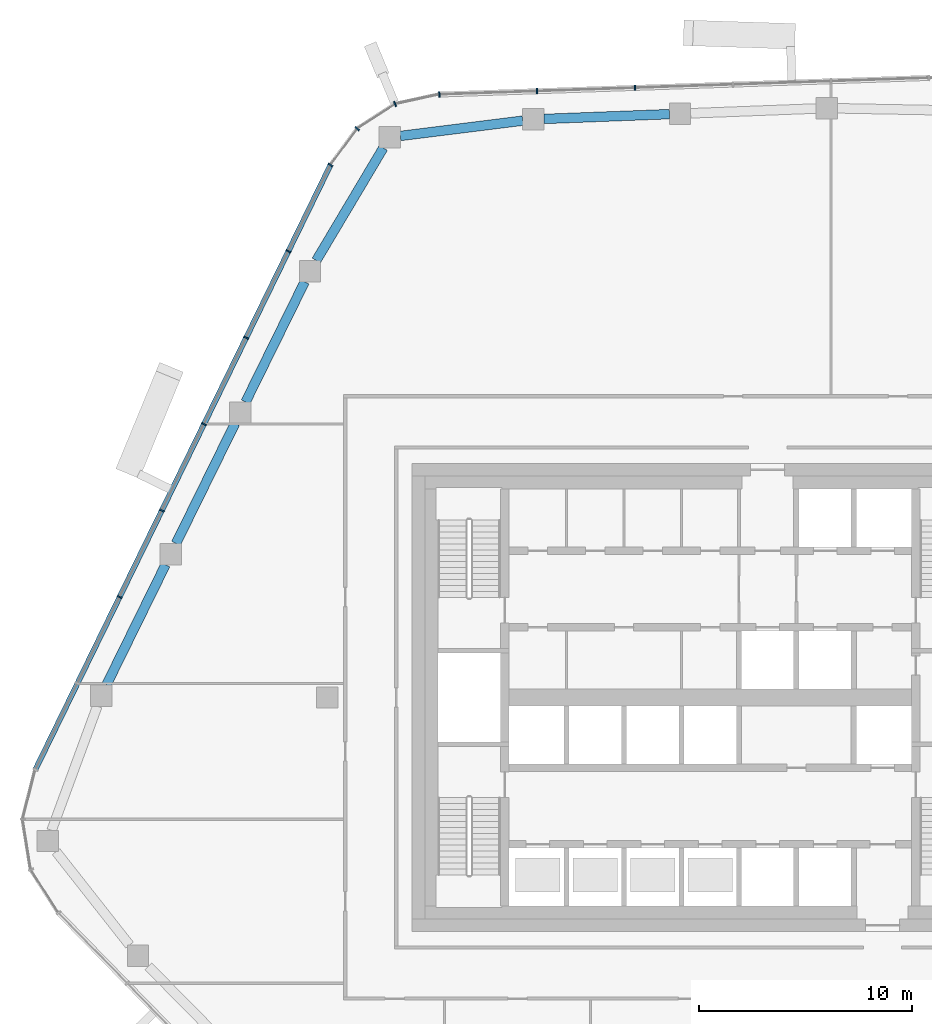
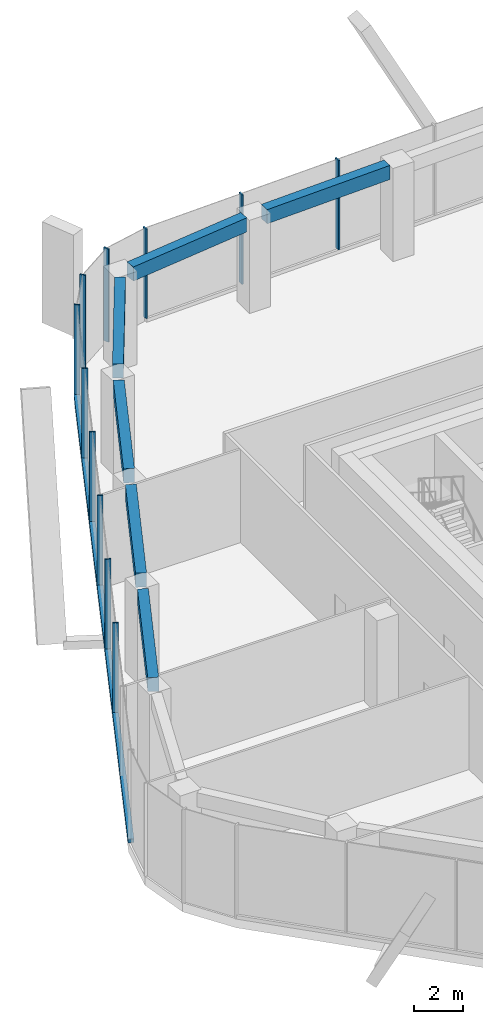
# One storey, part 5 of 20: 12 members, 6 beams, 3 elements without a shape of their own.
"""IFC4 building model written with IfcOpenShell, lengths in metres."""

from ifc_helpers import new_model, si_unit, direction, frame, origin, origin_2d, place, context, subcontext, project, spatial, rectangle, extrude, material, layer, layer_set, material_profile, profile_set, type_object, element, aggregate, save


model = new_model("IFC4")

# Units and contexts
model_context = context("Model", 3, precision=1e-05, world=origin(), true_north=direction((0.0, 1.0)))
body_context = subcontext(model_context, "Body", "Model", "MODEL_VIEW")
ifc_project = project(units=[si_unit("LENGTHUNIT", "METRE"), si_unit("AREAUNIT", "SQUARE_METRE"), si_unit("VOLUMEUNIT", "CUBIC_METRE"), si_unit("PLANEANGLEUNIT", "RADIAN"), si_unit("MASSUNIT", "GRAM", prefix="KILO")], contexts=[model_context])

# Site, building, storey
site_placement = place(None, origin())
site = spatial("IfcSite", under=ifc_project, at=site_placement, CompositionType="ELEMENT")
building_placement = place(site_placement, origin())
building = spatial("IfcBuilding", under=site, at=building_placement, Name="Dongbaek Canopy Tower", CompositionType="ELEMENT")
storey_placement = place(building_placement, frame((0.0, 0.0, 289.199951171875)))
storey = spatial("IfcBuildingStorey", under=building, at=storey_placement, Name="L61", CompositionType="ELEMENT", Elevation=289.199951171875)

# Curtain wall, members
ifc_material_1 = material(Name="Aluminium 6063-T6 pale anodised", Category="aluminium")
ifc_layer = layer(ifc_material_1, 0.25)
ifc_layer_set = layer_set([ifc_layer], Name="CW-4 sky-lobby curtain wall")
curtain_wall_type = type_object("IfcCurtainWallType", Name="CW-4 sky-lobby curtain wall", PredefinedType="NOTDEFINED", material=ifc_layer_set)
curtain_wall_1_placement = place(storey_placement, origin())
curtain_wall_1 = element("IfcCurtainWall", 1, at=curtain_wall_1_placement, inside=storey, type_object=curtain_wall_type, Name="CW-4 curtain wall F1.1", PredefinedType="NOTDEFINED")
ifc_material_2 = material(Name="Aluminium 6063-T6 pale anodised", Category="aluminium")
ifc_material_profile_1 = material_profile(ifc_material_2, rectangle(XDim=0.25, YDim=0.070068359375, at=origin_2d()), Name="CW-4 mullion 70 x 250")
ifc_profile_set_1 = profile_set([ifc_material_profile_1], Name="Aluminium 6063-T6 pale anodised")
member_type_1 = type_object("IfcMemberType", Name="CW-4 mullion 70 x 250", PredefinedType="MULLION", material=ifc_profile_set_1)
member_1_placement = place(storey_placement, frame((-3.52783203125, 28.6484375, 0.179931640625), z_axis=(0.0, 0.0, 1.0), x_axis=(-0.033922579131, 0.999424463692, 0.0)))
member_1 = element("IfcMember", 2, at=member_1_placement, type_object=member_type_1, Name="CW-4 mullion F1.1.4", PredefinedType="MULLION", context=body_context, shape_type="SweptSolid", body=[
    extrude(rectangle(XDim=0.25, YDim=0.070068359375, at=origin_2d()), origin(), (0.0, 0.0, 1.0), 4.440185546875),
])
member_2_placement = place(storey_placement, frame((-8.132568359375, 28.491943359375, 0.179931640625), z_axis=(0.0, 0.0, 1.0), x_axis=(-0.033922579131, 0.999424463692, 0.0)))
member_2 = element("IfcMember", 3, at=member_2_placement, type_object=member_type_1, Name="CW-4 mullion F1.1.5", PredefinedType="MULLION", context=body_context, shape_type="SweptSolid", body=[
    extrude(rectangle(XDim=0.25, YDim=0.070068359375, at=origin_2d()), origin(), (0.0, 0.0, 1.0), 4.440185546875),
])
member_3_placement = place(storey_placement, frame((-12.728271484375, 28.336181640625, 0.179931640625), z_axis=(0.0, 0.0, 1.0), x_axis=(-0.033922579131, 0.999424463692, 0.0)))
member_3 = element("IfcMember", 4, at=member_3_placement, type_object=member_type_1, Name="CW-4 mullion F1.1.6", PredefinedType="MULLION", context=body_context, shape_type="SweptSolid", body=[
    extrude(rectangle(XDim=0.25, YDim=0.070068359375, at=origin_2d()), origin(), (0.0, 0.0, 1.0), 4.440185546875),
])
aggregate(curtain_wall_1, [member_1, member_2, member_3])

curtain_wall_2_placement = place(storey_placement, origin())
curtain_wall_2 = element("IfcCurtainWall", 5, at=curtain_wall_2_placement, inside=storey, type_object=curtain_wall_type, Name="CW-4 curtain wall K2.1", PredefinedType="NOTDEFINED")
member_4_placement = place(storey_placement, frame((-14.80615234375, 27.883544921875, 0.0), z_axis=(0.0, 0.0, 1.0), x_axis=(-0.384679034462, 0.923050399732, 0.0)))
member_4 = element("IfcMember", 6, at=member_4_placement, type_object=member_type_1, Name="CW-4 mullion K2.1.2", PredefinedType="MULLION", context=body_context, shape_type="SweptSolid", body=[
    extrude(rectangle(XDim=0.25, YDim=0.070068359375, at=origin_2d()), origin(), (0.0, 0.0, 1.0), 4.6201171875),
])
member_5_placement = place(storey_placement, frame((-16.582763671875, 26.7314453125, 0.0), z_axis=(0.0, 0.0, 1.0), x_axis=(-0.685864561292, 0.727729210328, 0.0)))
member_5 = element("IfcMember", 7, at=member_5_placement, type_object=member_type_1, Name="CW-4 mullion K2.1.3", PredefinedType="MULLION", context=body_context, shape_type="SweptSolid", body=[
    extrude(rectangle(XDim=0.25, YDim=0.070068359375, at=origin_2d()), origin(), (0.0, 0.0, 1.0), 4.6201171875),
])
member_6_placement = place(storey_placement, frame((-17.84326171875, 25.01904296875, 0.0), z_axis=(0.0, 0.0, 1.0), x_axis=(-0.805344607605, 0.592806935689, 0.0)))
member_6 = element("IfcMember", 8, at=member_6_placement, type_object=member_type_1, Name="CW-4 mullion K2.1.4", PredefinedType="MULLION", context=body_context, shape_type="SweptSolid", body=[
    extrude(rectangle(XDim=0.25, YDim=0.070068359375, at=origin_2d()), origin(), (0.0, 0.0, 1.0), 4.6201171875),
])
aggregate(curtain_wall_2, [member_4, member_5, member_6])

curtain_wall_3_placement = place(storey_placement, origin())
curtain_wall_3 = element("IfcCurtainWall", 9, at=curtain_wall_3_placement, inside=storey, type_object=curtain_wall_type, Name="CW-4 curtain wall F2.1", PredefinedType="NOTDEFINED")
member_7_placement = place(storey_placement, frame((-19.821533203125, 20.966064453125, 0.179931640625), z_axis=(0.0, 0.0, 1.0), x_axis=(-0.898667462391, 0.438630587215, 0.0)))
member_7 = element("IfcMember", 10, at=member_7_placement, type_object=member_type_1, Name="CW-4 mullion F2.1.2", PredefinedType="MULLION", context=body_context, shape_type="SweptSolid", body=[
    extrude(rectangle(XDim=0.25, YDim=0.070068359375, at=origin_2d()), origin(), (0.0, 0.0, 1.0), 4.440185546875),
])
member_8_placement = place(storey_placement, frame((-21.8037109375, 16.9052734375, 0.179931640625), z_axis=(0.0, 0.0, 1.0), x_axis=(-0.898667462391, 0.438630587215, 0.0)))
member_8 = element("IfcMember", 11, at=member_8_placement, type_object=member_type_1, Name="CW-4 mullion F2.1.3", PredefinedType="MULLION", context=body_context, shape_type="SweptSolid", body=[
    extrude(rectangle(XDim=0.25, YDim=0.070068359375, at=origin_2d()), origin(), (0.0, 0.0, 1.0), 4.440185546875),
])
member_9_placement = place(storey_placement, frame((-23.78564453125, 12.84423828125, 0.179931640625), z_axis=(0.0, 0.0, 1.0), x_axis=(-0.898667462391, 0.438630587215, 0.0)))
member_9 = element("IfcMember", 12, at=member_9_placement, type_object=member_type_1, Name="CW-4 mullion F2.1.4", PredefinedType="MULLION", context=body_context, shape_type="SweptSolid", body=[
    extrude(rectangle(XDim=0.25, YDim=0.070068359375, at=origin_2d()), origin(), (0.0, 0.0, 1.0), 4.440185546875),
])
member_10_placement = place(storey_placement, frame((-25.767822265625, 8.783203125, 0.179931640625), z_axis=(0.0, 0.0, 1.0), x_axis=(-0.898667462391, 0.438630587215, 0.0)))
member_10 = element("IfcMember", 13, at=member_10_placement, type_object=member_type_1, Name="CW-4 mullion F2.1.5", PredefinedType="MULLION", context=body_context, shape_type="SweptSolid", body=[
    extrude(rectangle(XDim=0.25, YDim=0.070068359375, at=origin_2d()), origin(), (0.0, 0.0, 1.0), 4.440185546875),
])
member_11_placement = place(storey_placement, frame((-27.75, 4.72216796875, 0.179931640625), z_axis=(0.0, 0.0, 1.0), x_axis=(-0.898667462391, 0.438630587215, 0.0)))
member_11 = element("IfcMember", 14, at=member_11_placement, type_object=member_type_1, Name="CW-4 mullion F2.1.6", PredefinedType="MULLION", context=body_context, shape_type="SweptSolid", body=[
    extrude(rectangle(XDim=0.25, YDim=0.070068359375, at=origin_2d()), origin(), (0.0, 0.0, 1.0), 4.440185546875),
])
ifc_material_3 = material(Name="Aluminium 6063-T6 pale anodised", Category="aluminium")
ifc_material_profile_2 = material_profile(ifc_material_3, rectangle(XDim=0.25, YDim=0.179931640625, at=origin_2d()), Name="CW-4 transom 180 x 250")
ifc_profile_set_2 = profile_set([ifc_material_profile_2], Name="Aluminium 6063-T6 pale anodised")
member_type_2 = type_object("IfcMemberType", Name="CW-4 transom 180 x 250", PredefinedType="USERDEFINED", material=ifc_profile_set_2)
member_12_placement = place(storey_placement, frame((-17.84326171875, 25.01904296875, 0.090087890625), z_axis=(-0.438633138311, -0.898666217222, 0.0), x_axis=(0.898666217222, -0.438633138311, 0.0)))
member_12 = element("IfcMember", 15, at=member_12_placement, type_object=member_type_2, Name="CW-4 transom F2.1.1", ObjectType="TRANSOM", PredefinedType="USERDEFINED", context=body_context, shape_type="SweptSolid", body=[
    extrude(rectangle(XDim=0.25, YDim=0.179931640625, at=origin_2d()), origin(), (0.0, 0.0, 1.0), 31.61279296875),
])
aggregate(curtain_wall_3, [member_7, member_8, member_9, member_10, member_11, member_12])

# Beams
ifc_material_4 = material(Name="Concrete C60", Category="concrete")
ifc_material_profile_3 = material_profile(ifc_material_4, rectangle(XDim=0.449951171875, YDim=0.699951171875, at=origin_2d()), Name="RC EDGE BEAM 450x700 C60")
ifc_profile_set_3 = profile_set([ifc_material_profile_3], Name="Concrete C60")
beam_type = type_object("IfcBeamType", Name="RC EDGE BEAM 450x700 C60", PredefinedType="BEAM", material=ifc_profile_set_3)
for number, where, z_axis, x_axis, name in (
    (16, (-28.37109375, 0.5859375, 4.27001953125), (0.441293546446, 0.897362806152, 0.0), (-0.897362806152, 0.441293546446, 0.0), "EDGEBEAM:L61:09"),
    (17, (-25.10107421875, 7.235107421875, 4.27001953125), (0.441433810223, 0.897293815421, 0.0), (-0.897293815421, 0.441433810223, 0.0), "EDGEBEAM:L61:10"),
):
    element("IfcBeam", number, at=place(storey_placement, frame(where, z_axis=z_axis, x_axis=x_axis)), inside=storey, type_object=beam_type, Name=name, PredefinedType="BEAM", context=body_context, shape_type="SweptSolid", body=[
        extrude(rectangle(XDim=0.449951171875, YDim=0.699951171875, at=origin_2d()), origin(), (0.0, 0.0, 1.0), 6.29541015625),
    ])
beam_1_placement = place(storey_placement, frame((-21.830078125, 13.884033203125, 4.27001953125), z_axis=(0.441370345445, 0.897325034846, 0.0), x_axis=(-0.897325034846, 0.441370345445, 0.0)))
element("IfcBeam", 18, at=beam_1_placement, inside=storey, type_object=beam_type, Name="EDGEBEAM:L61:11", PredefinedType="BEAM", context=body_context, shape_type="SweptSolid", body=[
    extrude(rectangle(XDim=0.449951171875, YDim=0.699951171875, at=origin_2d()), origin(), (0.0, 0.0, 1.0), 6.294189453125),
])
beam_2_placement = place(storey_placement, frame((-18.50830078125, 20.531982421875, 4.27001953125), z_axis=(0.511535459107, 0.859262168419, 0.0), x_axis=(-0.859262168419, 0.511535459107, 0.0)))
element("IfcBeam", 19, at=beam_2_placement, inside=storey, type_object=beam_type, Name="EDGEBEAM:L61:12", PredefinedType="BEAM", context=body_context, shape_type="SweptSolid", body=[
    extrude(rectangle(XDim=0.449951171875, YDim=0.699951171875, at=origin_2d()), origin(), (0.0, 0.0, 1.0), 6.1552734375),
])
beam_3_placement = place(storey_placement, frame((-14.56201171875, 26.38330078125, 4.27001953125), z_axis=(0.992296006086, 0.123889613389, 0.0), x_axis=(-0.123889613389, 0.992296006086, 0.0)))
element("IfcBeam", 20, at=beam_3_placement, inside=storey, type_object=beam_type, Name="EDGEBEAM:L61:13", PredefinedType="BEAM", context=body_context, shape_type="SweptSolid", body=[
    extrude(rectangle(XDim=0.449951171875, YDim=0.699951171875, at=origin_2d()), origin(), (0.0, 0.0, 1.0), 5.797607421875),
])
beam_4_placement = place(storey_placement, frame((-7.80908203125, 27.18310546875, 4.27001953125), z_axis=(0.999267644391, 0.038264538061, 0.0), x_axis=(-0.038264538061, 0.999267644391, 0.0)))
element("IfcBeam", 21, at=beam_4_placement, inside=storey, type_object=beam_type, Name="EDGEBEAM:L61:14", PredefinedType="BEAM", context=body_context, shape_type="SweptSolid", body=[
    extrude(rectangle(XDim=0.449951171875, YDim=0.699951171875, at=origin_2d()), origin(), (0.0, 0.0, 1.0), 5.8955078125),
])

save(model, "model.ifc")
